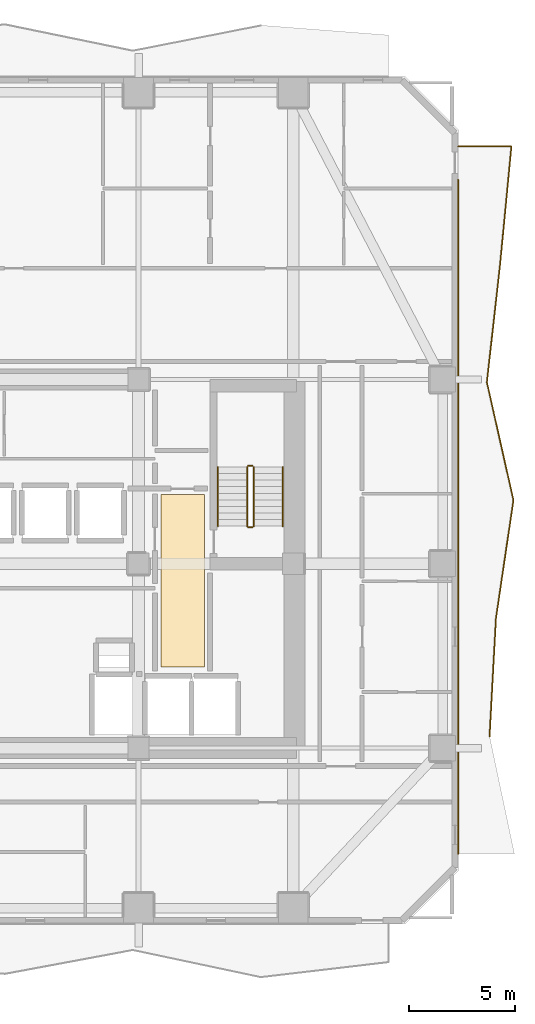
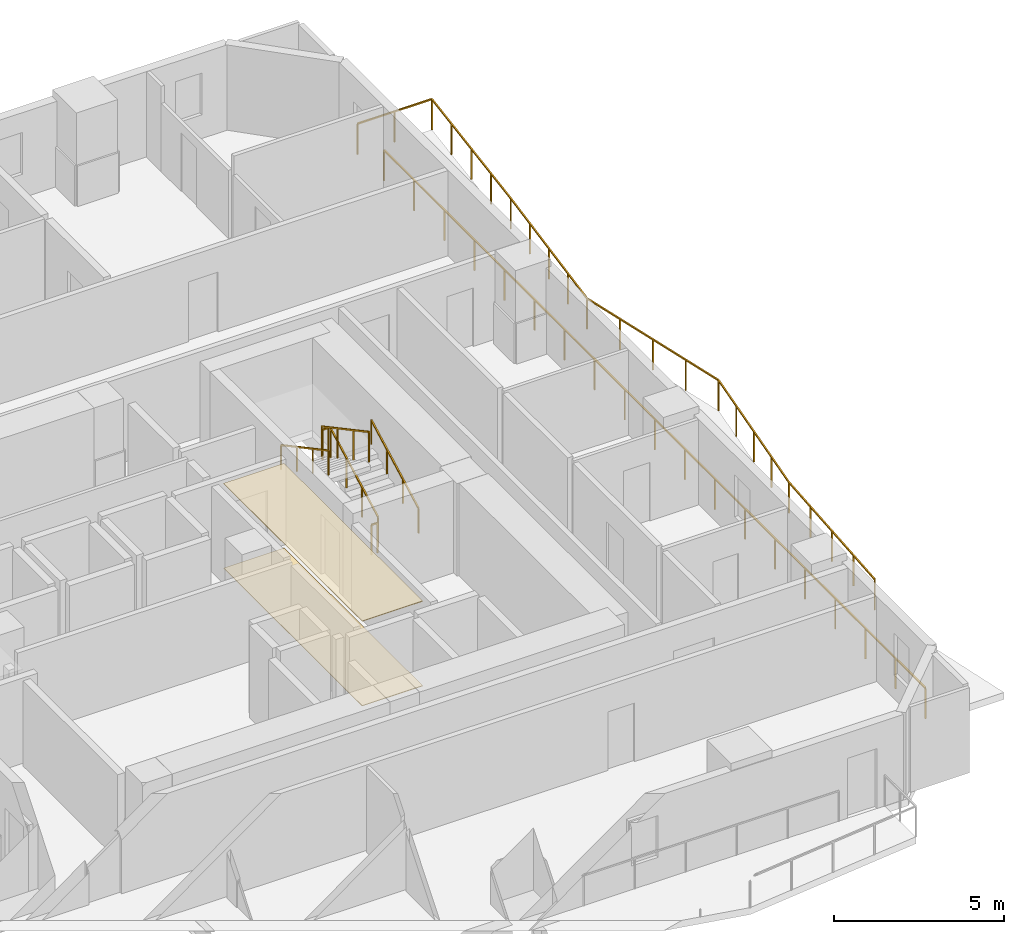
# One storey, part 9 of 10: 8 railings, 2 coverings.
"""IFC4 building model written with IfcOpenShell, lengths in metres."""

from ifc_helpers import new_model, si_unit, direction, frame, origin, origin_2d, place, context, subcontext, project, spatial, polyline, rectangle, outline, extrude, material, layer, layer_set, type_object, element, save


model = new_model("IFC4")

# Units and contexts
model_context = context("Model", 3, precision=1e-05, world=origin(), true_north=direction((0.0, 1.0)))
body_context = subcontext(model_context, "Body", "Model", "MODEL_VIEW")
ifc_project = project(units=[si_unit("LENGTHUNIT", "METRE"), si_unit("AREAUNIT", "SQUARE_METRE"), si_unit("VOLUMEUNIT", "CUBIC_METRE"), si_unit("PLANEANGLEUNIT", "RADIAN"), si_unit("MASSUNIT", "GRAM", prefix="KILO")], contexts=[model_context])

# Site, building, storey
site_placement = place(None, origin())
site = spatial("IfcSite", under=ifc_project, at=site_placement, CompositionType="ELEMENT")
building_placement = place(site_placement, origin())
building = spatial("IfcBuilding", under=site, at=building_placement, Name="Solanera Arch Residences", CompositionType="ELEMENT")
storey_placement = place(building_placement, frame((0.0, 0.0, 99.43994140625)))
storey = spatial("IfcBuildingStorey", under=building, at=storey_placement, Name="L28", CompositionType="ELEMENT", Elevation=99.43994140625)

# Railings
ifc_material_1 = material(Name="Steel S355 (ASTM A992 / A572 Grade 50)", Category="steel")
railing_type_1 = type_object("IfcRailingType", Name="Balustrade Railing BL-1100", PredefinedType="BALUSTRADE", material=ifc_material_1)
railing_1_placement = place(storey_placement, frame((45.77197265625, 22.56689453125, 0.0)))
element("IfcRailing", 1, at=railing_1_placement, inside=storey, type_object=railing_type_1, Name="L28 E Balcony Balustrade 1", PredefinedType="BALUSTRADE", context=body_context, shape_type="SweptSolid", body=[
    extrude(rectangle(XDim=0.048095703125, YDim=0.048095703125, at=origin_2d()), frame((0.0, 0.0, 1.09619140625), z_axis=(0.054177081094, 0.998531343466, 0.0), x_axis=(-0.998531343466, 0.054177081094, 0.0)), (0.0, 0.0, 1.0), 5.574462890625),
    extrude(rectangle(XDim=0.048095703125, YDim=0.048095703125, at=origin_2d()), frame((0.302001953125, 5.566162109375, 1.09619140625), z_axis=(0.146587966863, 0.989197638478, 0.0), x_axis=(-0.989197638478, 0.146587966863, 0.0)), (0.0, 0.0, 1.0), 5.627685546875),
    extrude(rectangle(XDim=0.048095703125, YDim=0.048095703125, at=origin_2d()), frame((1.126953125, 11.133056640625, 1.09619140625), z_axis=(-0.219729027154, 0.975560943573, 0.0), x_axis=(-0.975560943573, -0.219729027154, 0.0)), (0.0, 0.0, 1.0), 5.70654296875),
    extrude(rectangle(XDim=0.048095703125, YDim=0.048095703125, at=origin_2d()), frame((-0.126953125, 16.7001953125, 1.09619140625), z_axis=(0.111244837794, 0.993793029793, 0.0), x_axis=(-0.993793029793, 0.111244837794, 0.0)), (0.0, 0.0, 1.0), 5.6005859375),
    extrude(rectangle(XDim=0.048095703125, YDim=0.048095703125, at=origin_2d()), frame((0.49609375, 22.26611328125, 1.09619140625), z_axis=(0.095647524211, 0.995415265662, 0.0), x_axis=(-0.995415265662, 0.095647524211, 0.0)), (0.0, 0.0, 1.0), 5.592529296875),
    extrude(rectangle(XDim=0.048095703125, YDim=0.048095703125, at=origin_2d()), frame((1.031005859375, 27.8330078125, 1.09619140625), z_axis=(-1.0, 0.0, 0.0), x_axis=(0.0, -1.0, 0.0)), (0.0, 0.0, 1.0), 2.52294921875),
    extrude(rectangle(XDim=0.0419921875, YDim=0.0419921875, at=origin_2d()), origin(), (0.0, 0.0, 1.0), 1.072021484375),
    extrude(rectangle(XDim=0.0419921875, YDim=0.0419921875, at=origin_2d()), frame((0.075439453125, 1.3916015625, 0.0)), (0.0, 0.0, 1.0), 1.072021484375),
    extrude(rectangle(XDim=0.0419921875, YDim=0.0419921875, at=origin_2d()), frame((0.15087890625, 2.783203125, 0.0)), (0.0, 0.0, 1.0), 1.072021484375),
    extrude(rectangle(XDim=0.0419921875, YDim=0.0419921875, at=origin_2d()), frame((0.2265625, 4.174560546875, 0.0)), (0.0, 0.0, 1.0), 1.072021484375),
    extrude(rectangle(XDim=0.0419921875, YDim=0.0419921875, at=origin_2d()), frame((0.302001953125, 5.566162109375, 0.0)), (0.0, 0.0, 1.0), 1.072021484375),
    extrude(rectangle(XDim=0.0419921875, YDim=0.0419921875, at=origin_2d()), frame((0.50830078125, 6.9580078125, 0.0)), (0.0, 0.0, 1.0), 1.072021484375),
    extrude(rectangle(XDim=0.0419921875, YDim=0.0419921875, at=origin_2d()), frame((0.71435546875, 8.349609375, 0.0)), (0.0, 0.0, 1.0), 1.072021484375),
    extrude(rectangle(XDim=0.0419921875, YDim=0.0419921875, at=origin_2d()), frame((0.920654296875, 9.7412109375, 0.0)), (0.0, 0.0, 1.0), 1.072021484375),
    extrude(rectangle(XDim=0.0419921875, YDim=0.0419921875, at=origin_2d()), frame((1.126953125, 11.133056640625, 0.0)), (0.0, 0.0, 1.0), 1.072021484375),
    extrude(rectangle(XDim=0.0419921875, YDim=0.0419921875, at=origin_2d()), frame((0.8134765625, 12.52490234375, 0.0)), (0.0, 0.0, 1.0), 1.072021484375),
    extrude(rectangle(XDim=0.0419921875, YDim=0.0419921875, at=origin_2d()), frame((0.5, 13.91650390625, 0.0)), (0.0, 0.0, 1.0), 1.072021484375),
    extrude(rectangle(XDim=0.0419921875, YDim=0.0419921875, at=origin_2d()), frame((0.1865234375, 15.308349609375, 0.0)), (0.0, 0.0, 1.0), 1.072021484375),
    extrude(rectangle(XDim=0.0419921875, YDim=0.0419921875, at=origin_2d()), frame((-0.126953125, 16.7001953125, 0.0)), (0.0, 0.0, 1.0), 1.072021484375),
    extrude(rectangle(XDim=0.0419921875, YDim=0.0419921875, at=origin_2d()), frame((0.02880859375, 18.091796875, 0.0)), (0.0, 0.0, 1.0), 1.072021484375),
    extrude(rectangle(XDim=0.0419921875, YDim=0.0419921875, at=origin_2d()), frame((0.1845703125, 19.483154296875, 0.0)), (0.0, 0.0, 1.0), 1.072021484375),
    extrude(rectangle(XDim=0.0419921875, YDim=0.0419921875, at=origin_2d()), frame((0.34033203125, 20.87451171875, 0.0)), (0.0, 0.0, 1.0), 1.072021484375),
    extrude(rectangle(XDim=0.0419921875, YDim=0.0419921875, at=origin_2d()), frame((0.49609375, 22.26611328125, 0.0)), (0.0, 0.0, 1.0), 1.072021484375),
    extrude(rectangle(XDim=0.0419921875, YDim=0.0419921875, at=origin_2d()), frame((0.6298828125, 23.65771484375, 0.0)), (0.0, 0.0, 1.0), 1.072021484375),
    extrude(rectangle(XDim=0.0419921875, YDim=0.0419921875, at=origin_2d()), frame((0.763671875, 25.049560546875, 0.0)), (0.0, 0.0, 1.0), 1.072021484375),
    extrude(rectangle(XDim=0.0419921875, YDim=0.0419921875, at=origin_2d()), frame((0.897216796875, 26.44140625, 0.0)), (0.0, 0.0, 1.0), 1.072021484375),
    extrude(rectangle(XDim=0.0419921875, YDim=0.0419921875, at=origin_2d()), frame((1.031005859375, 27.8330078125, 0.0)), (0.0, 0.0, 1.0), 1.072021484375),
    extrude(rectangle(XDim=0.0419921875, YDim=0.0419921875, at=origin_2d()), frame((-0.23046875, 27.8330078125, 0.0)), (0.0, 0.0, 1.0), 1.072021484375),
    extrude(rectangle(XDim=0.0419921875, YDim=0.0419921875, at=origin_2d()), frame((-1.491943359375, 27.8330078125, 0.0)), (0.0, 0.0, 1.0), 1.072021484375),
])
railing_2_placement = place(storey_placement, frame((44.280029296875, 48.833984375, 0.0)))
element("IfcRailing", 2, at=railing_2_placement, inside=storey, type_object=railing_type_1, Name="L28 E Balcony Balustrade 2", PredefinedType="BALUSTRADE", context=body_context, shape_type="SweptSolid", body=[
    extrude(rectangle(XDim=0.048095703125, YDim=0.048095703125, at=origin_2d()), frame((0.0, 0.0, 1.09619140625), z_axis=(0.0, -1.0, 0.0), x_axis=(1.0, 0.0, 0.0)), (0.0, 0.0, 1.0), 31.833984375),
    extrude(rectangle(XDim=0.0419921875, YDim=0.0419921875, at=origin_2d()), origin(), (0.0, 0.0, 1.0), 1.072021484375),
    extrude(rectangle(XDim=0.0419921875, YDim=0.0419921875, at=origin_2d()), frame((0.0, -1.7685546875, 0.0)), (0.0, 0.0, 1.0), 1.072021484375),
    extrude(rectangle(XDim=0.0419921875, YDim=0.0419921875, at=origin_2d()), frame((0.0, -3.537109375, 0.0)), (0.0, 0.0, 1.0), 1.072021484375),
    extrude(rectangle(XDim=0.0419921875, YDim=0.0419921875, at=origin_2d()), frame((0.0, -5.3056640625, 0.0)), (0.0, 0.0, 1.0), 1.072021484375),
    extrude(rectangle(XDim=0.0419921875, YDim=0.0419921875, at=origin_2d()), frame((0.0, -7.07421875, 0.0)), (0.0, 0.0, 1.0), 1.072021484375),
    extrude(rectangle(XDim=0.0419921875, YDim=0.0419921875, at=origin_2d()), frame((0.0, -8.8427734375, 0.0)), (0.0, 0.0, 1.0), 1.072021484375),
    extrude(rectangle(XDim=0.0419921875, YDim=0.0419921875, at=origin_2d()), frame((0.0, -10.611328125, 0.0)), (0.0, 0.0, 1.0), 1.072021484375),
    extrude(rectangle(XDim=0.0419921875, YDim=0.0419921875, at=origin_2d()), frame((0.0, -12.3798828125, 0.0)), (0.0, 0.0, 1.0), 1.072021484375),
    extrude(rectangle(XDim=0.0419921875, YDim=0.0419921875, at=origin_2d()), frame((0.0, -14.1484375, 0.0)), (0.0, 0.0, 1.0), 1.072021484375),
    extrude(rectangle(XDim=0.0419921875, YDim=0.0419921875, at=origin_2d()), frame((0.0, -15.9169921875, 0.0)), (0.0, 0.0, 1.0), 1.072021484375),
    extrude(rectangle(XDim=0.0419921875, YDim=0.0419921875, at=origin_2d()), frame((0.0, -17.685546875, 0.0)), (0.0, 0.0, 1.0), 1.072021484375),
    extrude(rectangle(XDim=0.0419921875, YDim=0.0419921875, at=origin_2d()), frame((0.0, -19.4541015625, 0.0)), (0.0, 0.0, 1.0), 1.072021484375),
    extrude(rectangle(XDim=0.0419921875, YDim=0.0419921875, at=origin_2d()), frame((0.0, -21.22265625, 0.0)), (0.0, 0.0, 1.0), 1.072021484375),
    extrude(rectangle(XDim=0.0419921875, YDim=0.0419921875, at=origin_2d()), frame((0.0, -22.9912109375, 0.0)), (0.0, 0.0, 1.0), 1.072021484375),
    extrude(rectangle(XDim=0.0419921875, YDim=0.0419921875, at=origin_2d()), frame((0.0, -24.759765625, 0.0)), (0.0, 0.0, 1.0), 1.072021484375),
    extrude(rectangle(XDim=0.0419921875, YDim=0.0419921875, at=origin_2d()), frame((0.0, -26.5283203125, 0.0)), (0.0, 0.0, 1.0), 1.072021484375),
    extrude(rectangle(XDim=0.0419921875, YDim=0.0419921875, at=origin_2d()), frame((0.0, -28.296875, 0.0)), (0.0, 0.0, 1.0), 1.072021484375),
    extrude(rectangle(XDim=0.0419921875, YDim=0.0419921875, at=origin_2d()), frame((0.0, -30.0654296875, 0.0)), (0.0, 0.0, 1.0), 1.072021484375),
    extrude(rectangle(XDim=0.0419921875, YDim=0.0419921875, at=origin_2d()), frame((0.0, -31.833984375, 0.0)), (0.0, 0.0, 1.0), 1.072021484375),
])

# Covering
ifc_material_2 = material(Name="Porcelain Acoustic Floor Tile", Category="ceramic")
ifc_layer_1 = layer(ifc_material_2, 0.02001953125)
ifc_layer_set_1 = layer_set([ifc_layer_1], Name="Porcelain Acoustic Floor Tile")
covering_type_1 = type_object("IfcCoveringType", Name="Porcelain Acoustic Floor Finish FLR-20", PredefinedType="FLOORING", material=ifc_layer_set_1)
covering_1_placement = place(storey_placement, origin())
element("IfcCovering", 3, at=covering_1_placement, inside=storey, type_object=covering_type_1, Name="L28-FFL-E Porcelain Floor Finish", PredefinedType="FLOORING", context=body_context, shape_type="SweptSolid", body=[
    extrude(outline(polyline([(32.304931640625, 25.824951171875), (30.25, 25.824951171875), (30.25, 33.97509765625), (32.304931640625, 33.97509765625), (32.304931640625, 25.824951171875)])), origin(), (0.0, 0.0, 1.0), 0.02001953125),
])

# Railings
ifc_material_3 = material(Name="Steel S355 (ASTM A992 / A572 Grade 50)", Category="steel")
railing_type_2 = type_object("IfcRailingType", Name="Stair Guardrail GR-1100", PredefinedType="GUARDRAIL", material=ifc_material_3)
railing_3_placement = place(storey_placement, frame((34.6298828125, 32.47998046875, 0.151123046875)))
element("IfcRailing", 4, at=railing_3_placement, inside=storey, type_object=railing_type_2, Name="L28 ST-T2 stair guard 1", PredefinedType="GUARDRAIL", context=body_context, shape_type="SweptSolid", body=[
    extrude(rectangle(XDim=0.048095703125, YDim=0.048095703125, at=origin_2d()), frame((0.0, 0.0, 1.076171875), z_axis=(0.0, 0.881580869306, 0.472033018838), x_axis=(-1.0, 0.0, 0.0)), (0.0, 0.0, 1.0), 3.164794921875),
    extrude(rectangle(XDim=0.0419921875, YDim=0.0419921875, at=origin_2d()), origin(), (0.0, 0.0, 1.0), 1.052001953125),
    extrude(rectangle(XDim=0.0419921875, YDim=0.0419921875, at=origin_2d()), frame((0.0, 0.929931640625, 0.498046875)), (0.0, 0.0, 1.0), 1.052001953125),
    extrude(rectangle(XDim=0.0419921875, YDim=0.0419921875, at=origin_2d()), frame((0.0, 1.860107421875, 0.995849609375)), (0.0, 0.0, 1.0), 1.052001953125),
    extrude(rectangle(XDim=0.0419921875, YDim=0.0419921875, at=origin_2d()), frame((0.0, 2.7900390625, 1.493896484375)), (0.0, 0.0, 1.0), 1.052001953125),
])
railing_4_placement = place(storey_placement, frame((34.580078125, 35.320068359375, 1.64501953125)))
element("IfcRailing", 5, at=railing_4_placement, inside=storey, type_object=railing_type_2, Name="L28 ST-T2 stair guard 2", PredefinedType="GUARDRAIL", context=body_context, shape_type="SweptSolid", body=[
    extrude(rectangle(XDim=0.048095703125, YDim=0.048095703125, at=origin_2d()), frame((0.0, 0.0, 1.076171875), z_axis=(-1.0, 0.0, 0.0), x_axis=(0.0, -1.0, 0.0)), (0.0, 0.0, 1.0), 0.2001953125),
    extrude(rectangle(XDim=0.0419921875, YDim=0.0419921875, at=origin_2d()), origin(), (0.0, 0.0, 1.0), 1.052001953125),
    extrude(rectangle(XDim=0.0419921875, YDim=0.0419921875, at=origin_2d()), frame((-0.2001953125, 0.0, 0.0)), (0.0, 0.0, 1.0), 1.052001953125),
])
railing_5_placement = place(storey_placement, frame((34.330078125, 35.27001953125, 1.81103515625)))
element("IfcRailing", 6, at=railing_5_placement, inside=storey, type_object=railing_type_2, Name="L28 ST-T2 stair guard 3", PredefinedType="GUARDRAIL", context=body_context, shape_type="SweptSolid", body=[
    extrude(rectangle(XDim=0.048095703125, YDim=0.048095703125, at=origin_2d()), frame((0.0, 0.0, 1.076171875), z_axis=(0.0, -0.881548766853, 0.472092969298), x_axis=(1.0, 0.0, 0.0)), (0.0, 0.0, 1.0), 3.1650390625),
    extrude(rectangle(XDim=0.0419921875, YDim=0.0419921875, at=origin_2d()), origin(), (0.0, 0.0, 1.0), 1.052001953125),
    extrude(rectangle(XDim=0.0419921875, YDim=0.0419921875, at=origin_2d()), frame((0.0, -0.929931640625, 0.498046875)), (0.0, 0.0, 1.0), 1.052001953125),
    extrude(rectangle(XDim=0.0419921875, YDim=0.0419921875, at=origin_2d()), frame((0.0, -1.860107421875, 0.99609375)), (0.0, 0.0, 1.0), 1.052001953125),
    extrude(rectangle(XDim=0.0419921875, YDim=0.0419921875, at=origin_2d()), frame((0.0, -2.7900390625, 1.494140625)), (0.0, 0.0, 1.0), 1.052001953125),
])
railing_6_placement = place(storey_placement, frame((34.580078125, 32.429931640625, -0.014892578125)))
element("IfcRailing", 7, at=railing_6_placement, inside=storey, type_object=railing_type_2, Name="L28 ST-T2 stair guard 4", PredefinedType="GUARDRAIL", context=body_context, shape_type="SweptSolid", body=[
    extrude(rectangle(XDim=0.048095703125, YDim=0.048095703125, at=origin_2d()), frame((0.0, 0.0, 1.076171875), z_axis=(-1.0, 0.0, 0.0), x_axis=(0.0, -1.0, 0.0)), (0.0, 0.0, 1.0), 0.2001953125),
    extrude(rectangle(XDim=0.0419921875, YDim=0.0419921875, at=origin_2d()), origin(), (0.0, 0.0, 1.0), 1.052001953125),
    extrude(rectangle(XDim=0.0419921875, YDim=0.0419921875, at=origin_2d()), frame((-0.2001953125, 0.0, 0.0)), (0.0, 0.0, 1.0), 1.052001953125),
])
ifc_material_4 = material(Name="Steel S355 (ASTM A992 / A572 Grade 50)", Category="steel")
railing_type_3 = type_object("IfcRailingType", Name="Stair Wall Handrail HR-920", PredefinedType="HANDRAIL", material=ifc_material_4)
railing_7_placement = place(storey_placement, frame((36.010009765625, 32.47998046875, 0.166015625)))
element("IfcRailing", 8, at=railing_7_placement, inside=storey, type_object=railing_type_3, Name="L28 ST-T2 stair handrail 1", PredefinedType="HANDRAIL", context=body_context, shape_type="SweptSolid", body=[
    extrude(rectangle(XDim=0.048095703125, YDim=0.048095703125, at=origin_2d()), frame((0.0, 0.0, 0.8759765625), z_axis=(0.0, 0.881548766853, 0.472092969298), x_axis=(-1.0, 0.0, 0.0)), (0.0, 0.0, 1.0), 3.1650390625),
    extrude(rectangle(XDim=0.0419921875, YDim=0.0419921875, at=origin_2d()), origin(), (0.0, 0.0, 1.0), 0.851806640625),
    extrude(rectangle(XDim=0.0419921875, YDim=0.0419921875, at=origin_2d()), frame((0.0, 0.929931640625, 0.498046875)), (0.0, 0.0, 1.0), 0.851806640625),
    extrude(rectangle(XDim=0.0419921875, YDim=0.0419921875, at=origin_2d()), frame((0.0, 1.860107421875, 0.99609375)), (0.0, 0.0, 1.0), 0.851806640625),
    extrude(rectangle(XDim=0.0419921875, YDim=0.0419921875, at=origin_2d()), frame((0.0, 2.7900390625, 1.494140625)), (0.0, 0.0, 1.0), 0.851806640625),
])
railing_8_placement = place(storey_placement, frame((32.949951171875, 35.27001953125, 1.826171875)))
element("IfcRailing", 9, at=railing_8_placement, inside=storey, type_object=railing_type_3, Name="L28 ST-T2 stair handrail 2", PredefinedType="HANDRAIL", context=body_context, shape_type="SweptSolid", body=[
    extrude(rectangle(XDim=0.048095703125, YDim=0.048095703125, at=origin_2d()), frame((0.0, 0.0, 0.8759765625), z_axis=(0.0, -0.881580869306, 0.472033018838), x_axis=(1.0, 0.0, 0.0)), (0.0, 0.0, 1.0), 3.164794921875),
    extrude(rectangle(XDim=0.0419921875, YDim=0.0419921875, at=origin_2d()), origin(), (0.0, 0.0, 1.0), 0.851806640625),
    extrude(rectangle(XDim=0.0419921875, YDim=0.0419921875, at=origin_2d()), frame((0.0, -0.929931640625, 0.498046875)), (0.0, 0.0, 1.0), 0.851806640625),
    extrude(rectangle(XDim=0.0419921875, YDim=0.0419921875, at=origin_2d()), frame((0.0, -1.860107421875, 0.995849609375)), (0.0, 0.0, 1.0), 0.851806640625),
    extrude(rectangle(XDim=0.0419921875, YDim=0.0419921875, at=origin_2d()), frame((0.0, -2.7900390625, 1.493896484375)), (0.0, 0.0, 1.0), 0.851806640625),
])

# Covering
ifc_material_5 = material(Name="Mineral Fibre Acoustic Ceiling Board", Category="gypsum")
ifc_layer_2 = layer(ifc_material_5, 0.02490234375)
ifc_layer_set_2 = layer_set([ifc_layer_2], Name="Mineral Fibre Acoustic Ceiling Board")
covering_type_2 = type_object("IfcCoveringType", Name="Suspended Acoustic Ceiling Board CLG-25", PredefinedType="CEILING", material=ifc_layer_set_2)
covering_2_placement = place(storey_placement, frame((0.0, 0.0, 3.03515625)))
element("IfcCovering", 10, at=covering_2_placement, inside=storey, type_object=covering_type_2, Name="L28-FFL-E Acoustic Ceiling", PredefinedType="CEILING", context=body_context, shape_type="SweptSolid", body=[
    extrude(outline(polyline([(32.304931640625, 25.824951171875), (30.25, 25.824951171875), (30.25, 33.97509765625), (32.304931640625, 33.97509765625), (32.304931640625, 25.824951171875)])), origin(), (0.0, 0.0, 1.0), 0.02490234375),
])

save(model, "model.ifc")
